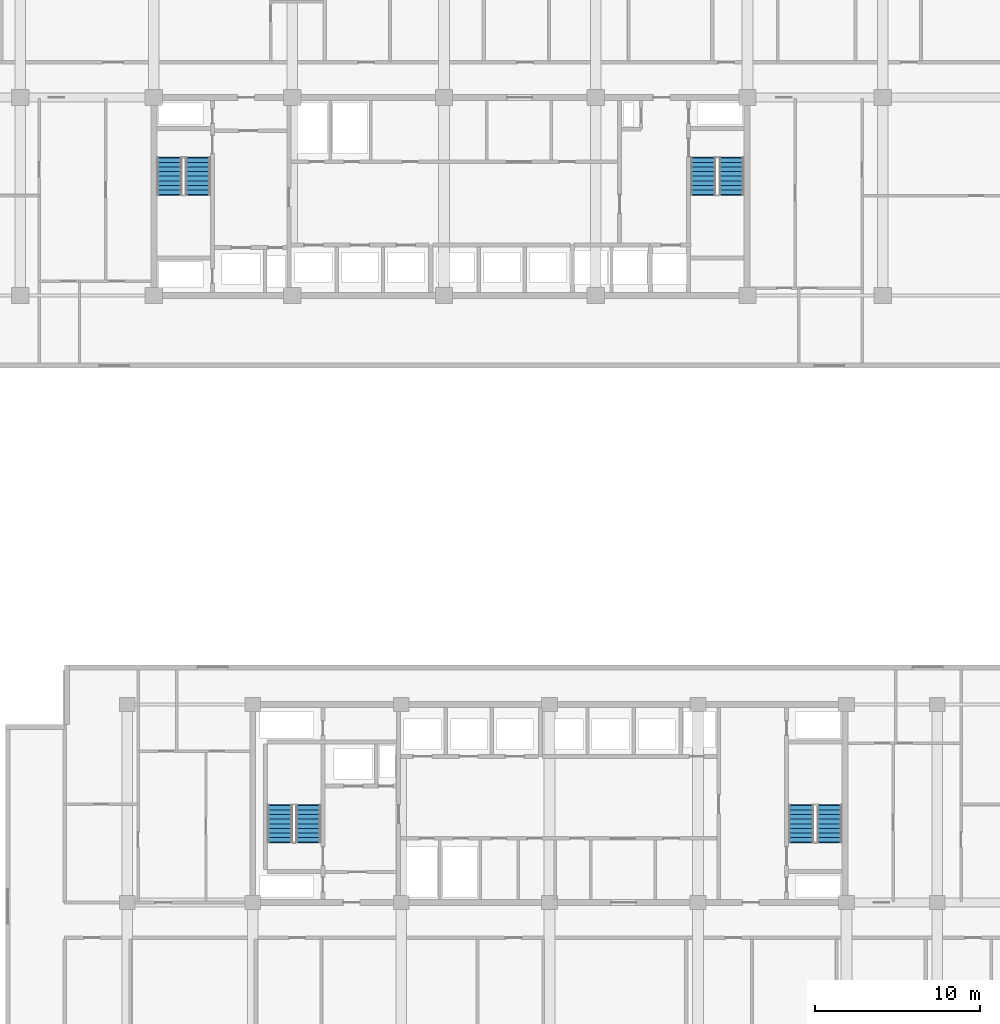
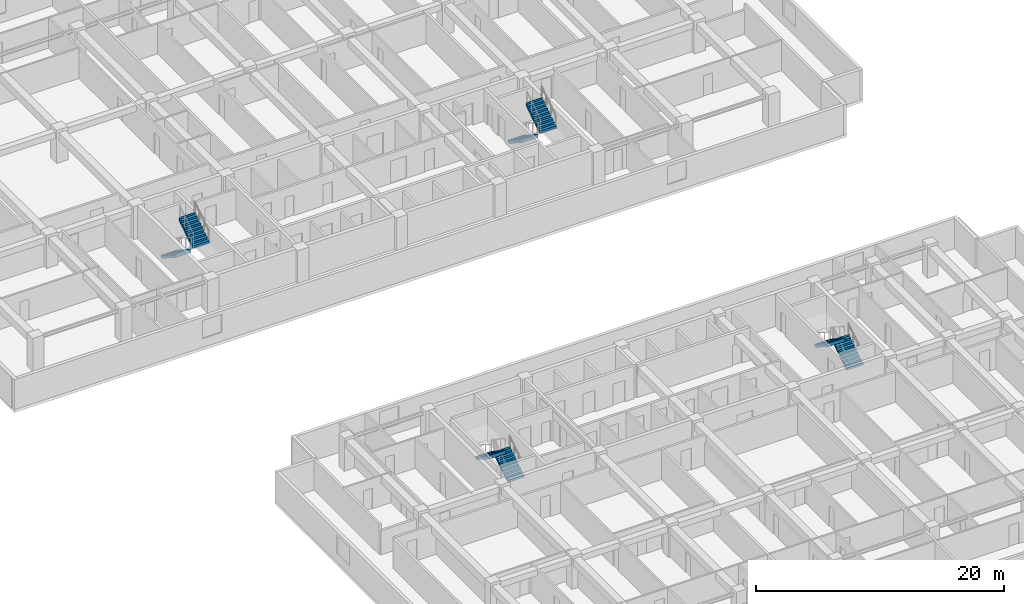
# One storey, part 19 of 24: 8 stair flights, 4 elements without a shape of their own.
"""IFC4 building model written with IfcOpenShell, lengths in metres."""

from ifc_helpers import new_model, si_unit, direction, frame, origin, place, context, subcontext, project, spatial, polyline, outline, extrude, material, type_object, element, aggregate, save


model = new_model("IFC4")

# Units and contexts
model_context = context("Model", 3, precision=1e-05, world=origin(), true_north=direction((0.0, 1.0)))
body_context = subcontext(model_context, "Body", "Model", "MODEL_VIEW")
ifc_project = project(units=[si_unit("LENGTHUNIT", "METRE"), si_unit("AREAUNIT", "SQUARE_METRE"), si_unit("VOLUMEUNIT", "CUBIC_METRE"), si_unit("PLANEANGLEUNIT", "RADIAN"), si_unit("MASSUNIT", "GRAM", prefix="KILO")], contexts=[model_context])

# Site, building, storey
site_placement = place(None, origin())
site = spatial("IfcSite", under=ifc_project, at=site_placement, CompositionType="ELEMENT")
building_placement = place(site_placement, origin())
building = spatial("IfcBuilding", under=site, at=building_placement, Name="Korimba Cascade Residences", CompositionType="ELEMENT")
storey_placement = place(building_placement, frame((0.0, 0.0, 66.25)))
storey = spatial("IfcBuildingStorey", under=building, at=storey_placement, Name="L18", CompositionType="ELEMENT", Elevation=66.25)

# Stair, stair flights
ifc_material = material(Name="Concrete C50/60", Category="concrete")
stair_type_1 = type_object("IfcStairType", Name="STR-W1-18R-1806", PredefinedType="HALF_TURN_STAIR", material=ifc_material)
stair_1_placement = place(storey_placement, origin())
stair_1 = element("IfcStair", 1, at=stair_1_placement, inside=storey, type_object=stair_type_1, Name="L18 Tower 1 West Fire Stair ST-W1", PredefinedType="HALF_TURN_STAIR")
stair_flight_type = type_object("IfcStairFlightType", Name="STF-DL-18R-1806-1520", PredefinedType="STRAIGHT", material=ifc_material)
stair_flight_1_placement = place(storey_placement, frame((77.06005859375, 63.550048828125, 0.0), z_axis=(0.0, 0.0, 1.0), x_axis=(0.0, -1.0, 0.0)))
stair_flight_1 = element("IfcStairFlight", 2, at=stair_flight_1_placement, type_object=stair_flight_type, Name="ST-W1 flight 1", NumberOfRisers=9, NumberOfTreads=8, PredefinedType="STRAIGHT", RiserHeight=0.180555556, TreadLength=0.28, context=body_context, shape_type="SweptSolid", body=[
    extrude(outline(polyline([(-0.0380859375, 0.0), (0.0, 0.1806640625), (0.280029296875, 0.1806640625), (0.280029296875, 0.361083984375), (0.56005859375, 0.361083984375), (0.56005859375, 0.541748046875), (0.840087890625, 0.541748046875), (0.840087890625, 0.72216796875), (1.1201171875, 0.72216796875), (1.1201171875, 0.90283203125), (1.39990234375, 0.90283203125), (1.39990234375, 1.083251953125), (1.679931640625, 1.083251953125), (1.679931640625, 1.263916015625), (1.9599609375, 1.263916015625), (1.9599609375, 1.4443359375), (2.239990234375, 1.4443359375), (2.239990234375, 1.625), (2.278076171875, 1.625), (2.278076171875, 1.26611328125), (0.276611328125, 0.0), (0.276611328125, -0.0380859375), (-0.0380859375, -0.0380859375), (-0.0380859375, 0.0)])), frame((0.0, 0.760009765625, 0.0), z_axis=(0.0, -1.0, 0.0), x_axis=(1.0, 0.0, 0.0)), (0.0, 0.0, 1.0), 1.52001953125),
])
stair_flight_2_placement = place(storey_placement, frame((78.780029296875, 61.31005859375, 1.625), z_axis=(0.0, 0.0, 1.0), x_axis=(0.0, 1.0, 0.0)))
stair_flight_2 = element("IfcStairFlight", 3, at=stair_flight_2_placement, type_object=stair_flight_type, Name="ST-W1 flight 2", NumberOfRisers=9, NumberOfTreads=8, PredefinedType="STRAIGHT", RiserHeight=0.180555556, TreadLength=0.28, context=body_context, shape_type="SweptSolid", body=[
    extrude(outline(polyline([(-0.0380859375, 0.0), (0.0, 0.1806640625), (0.280029296875, 0.1806640625), (0.280029296875, 0.361083984375), (0.56005859375, 0.361083984375), (0.56005859375, 0.541748046875), (0.840087890625, 0.541748046875), (0.840087890625, 0.72216796875), (1.1201171875, 0.72216796875), (1.1201171875, 0.90283203125), (1.39990234375, 0.90283203125), (1.39990234375, 1.083251953125), (1.679931640625, 1.083251953125), (1.679931640625, 1.263916015625), (1.9599609375, 1.263916015625), (1.9599609375, 1.4443359375), (2.239990234375, 1.4443359375), (2.239990234375, 1.625), (2.278076171875, 1.625), (2.278076171875, 1.26611328125), (0.276611328125, 0.0), (0.276611328125, -0.0380859375), (-0.0380859375, -0.0380859375), (-0.0380859375, 0.0)])), frame((0.0, 0.760009765625, 0.0), z_axis=(0.0, -1.0, 0.0), x_axis=(1.0, 0.0, 0.0)), (0.0, 0.0, 1.0), 1.52001953125),
])
aggregate(stair_1, [stair_flight_1, stair_flight_2])

stair_type_2 = type_object("IfcStairType", Name="STR-W2-18R-1806", PredefinedType="HALF_TURN_STAIR", material=ifc_material)
stair_2_placement = place(storey_placement, origin())
stair_2 = element("IfcStair", 4, at=stair_2_placement, inside=storey, type_object=stair_type_2, Name="L18 Tower 1 East Fire Stair ST-W2", PredefinedType="HALF_TURN_STAIR")
stair_flight_3_placement = place(storey_placement, frame((109.419921875, 63.550048828125, 0.0), z_axis=(0.0, 0.0, 1.0), x_axis=(0.0, -1.0, 0.0)))
stair_flight_3 = element("IfcStairFlight", 5, at=stair_flight_3_placement, type_object=stair_flight_type, Name="ST-W2 flight 1", NumberOfRisers=9, NumberOfTreads=8, PredefinedType="STRAIGHT", RiserHeight=0.180555556, TreadLength=0.28, context=body_context, shape_type="SweptSolid", body=[
    extrude(outline(polyline([(-0.0380859375, 0.0), (0.0, 0.1806640625), (0.280029296875, 0.1806640625), (0.280029296875, 0.361083984375), (0.56005859375, 0.361083984375), (0.56005859375, 0.541748046875), (0.840087890625, 0.541748046875), (0.840087890625, 0.72216796875), (1.1201171875, 0.72216796875), (1.1201171875, 0.90283203125), (1.39990234375, 0.90283203125), (1.39990234375, 1.083251953125), (1.679931640625, 1.083251953125), (1.679931640625, 1.263916015625), (1.9599609375, 1.263916015625), (1.9599609375, 1.4443359375), (2.239990234375, 1.4443359375), (2.239990234375, 1.625), (2.278076171875, 1.625), (2.278076171875, 1.26611328125), (0.276611328125, 0.0), (0.276611328125, -0.0380859375), (-0.0380859375, -0.0380859375), (-0.0380859375, 0.0)])), frame((0.0, 0.760009765625, 0.0), z_axis=(0.0, -1.0, 0.0), x_axis=(1.0, 0.0, 0.0)), (0.0, 0.0, 1.0), 1.52001953125),
])
stair_flight_4_placement = place(storey_placement, frame((111.139892578125, 61.31005859375, 1.625), z_axis=(0.0, 0.0, 1.0), x_axis=(0.0, 1.0, 0.0)))
stair_flight_4 = element("IfcStairFlight", 6, at=stair_flight_4_placement, type_object=stair_flight_type, Name="ST-W2 flight 2", NumberOfRisers=9, NumberOfTreads=8, PredefinedType="STRAIGHT", RiserHeight=0.180555556, TreadLength=0.28, context=body_context, shape_type="SweptSolid", body=[
    extrude(outline(polyline([(-0.0380859375, 0.0), (0.0, 0.1806640625), (0.280029296875, 0.1806640625), (0.280029296875, 0.361083984375), (0.56005859375, 0.361083984375), (0.56005859375, 0.541748046875), (0.840087890625, 0.541748046875), (0.840087890625, 0.72216796875), (1.1201171875, 0.72216796875), (1.1201171875, 0.90283203125), (1.39990234375, 0.90283203125), (1.39990234375, 1.083251953125), (1.679931640625, 1.083251953125), (1.679931640625, 1.263916015625), (1.9599609375, 1.263916015625), (1.9599609375, 1.4443359375), (2.239990234375, 1.4443359375), (2.239990234375, 1.625), (2.278076171875, 1.625), (2.278076171875, 1.26611328125), (0.276611328125, 0.0), (0.276611328125, -0.0380859375), (-0.0380859375, -0.0380859375), (-0.0380859375, 0.0)])), frame((0.0, 0.760009765625, 0.0), z_axis=(0.0, -1.0, 0.0), x_axis=(1.0, 0.0, 0.0)), (0.0, 0.0, 1.0), 1.52001953125),
])
aggregate(stair_2, [stair_flight_3, stair_flight_4])

stair_type_3 = type_object("IfcStairType", Name="STR-E1-18R-1806", PredefinedType="HALF_TURN_STAIR", material=ifc_material)
stair_3_placement = place(storey_placement, origin())
stair_3 = element("IfcStair", 7, at=stair_3_placement, inside=storey, type_object=stair_type_3, Name="L18 Tower 2 West Fire Stair ST-E1", PredefinedType="HALF_TURN_STAIR")
stair_flight_5_placement = place(storey_placement, frame((85.47998046875, 22.050048828125, 0.0), z_axis=(0.0, 0.0, 1.0), x_axis=(0.0, 1.0, 0.0)))
stair_flight_5 = element("IfcStairFlight", 8, at=stair_flight_5_placement, type_object=stair_flight_type, Name="ST-E1 flight 1", NumberOfRisers=9, NumberOfTreads=8, PredefinedType="STRAIGHT", RiserHeight=0.180555556, TreadLength=0.28, context=body_context, shape_type="SweptSolid", body=[
    extrude(outline(polyline([(-0.0380859375, 0.0), (0.0, 0.1806640625), (0.280029296875, 0.1806640625), (0.280029296875, 0.361083984375), (0.56005859375, 0.361083984375), (0.56005859375, 0.541748046875), (0.840087890625, 0.541748046875), (0.840087890625, 0.72216796875), (1.1201171875, 0.72216796875), (1.1201171875, 0.90283203125), (1.39990234375, 0.90283203125), (1.39990234375, 1.083251953125), (1.679931640625, 1.083251953125), (1.679931640625, 1.263916015625), (1.9599609375, 1.263916015625), (1.9599609375, 1.4443359375), (2.239990234375, 1.4443359375), (2.239990234375, 1.625), (2.278076171875, 1.625), (2.278076171875, 1.26611328125), (0.276611328125, 0.0), (0.276611328125, -0.0380859375), (-0.0380859375, -0.0380859375), (-0.0380859375, 0.0)])), frame((0.0, 0.760009765625, 0.0), z_axis=(0.0, -1.0, 0.0), x_axis=(1.0, 0.0, 0.0)), (0.0, 0.0, 1.0), 1.52001953125),
])
stair_flight_6_placement = place(storey_placement, frame((83.760009765625, 24.2900390625, 1.625), z_axis=(0.0, 0.0, 1.0), x_axis=(0.0, -1.0, 0.0)))
stair_flight_6 = element("IfcStairFlight", 9, at=stair_flight_6_placement, type_object=stair_flight_type, Name="ST-E1 flight 2", NumberOfRisers=9, NumberOfTreads=8, PredefinedType="STRAIGHT", RiserHeight=0.180555556, TreadLength=0.28, context=body_context, shape_type="SweptSolid", body=[
    extrude(outline(polyline([(-0.0380859375, 0.0), (0.0, 0.1806640625), (0.280029296875, 0.1806640625), (0.280029296875, 0.361083984375), (0.56005859375, 0.361083984375), (0.56005859375, 0.541748046875), (0.840087890625, 0.541748046875), (0.840087890625, 0.72216796875), (1.1201171875, 0.72216796875), (1.1201171875, 0.90283203125), (1.39990234375, 0.90283203125), (1.39990234375, 1.083251953125), (1.679931640625, 1.083251953125), (1.679931640625, 1.263916015625), (1.9599609375, 1.263916015625), (1.9599609375, 1.4443359375), (2.239990234375, 1.4443359375), (2.239990234375, 1.625), (2.278076171875, 1.625), (2.278076171875, 1.26611328125), (0.276611328125, 0.0), (0.276611328125, -0.0380859375), (-0.0380859375, -0.0380859375), (-0.0380859375, 0.0)])), frame((0.0, 0.760009765625, 0.0), z_axis=(0.0, -1.0, 0.0), x_axis=(1.0, 0.0, 0.0)), (0.0, 0.0, 1.0), 1.52001953125),
])
aggregate(stair_3, [stair_flight_5, stair_flight_6])

stair_type_4 = type_object("IfcStairType", Name="STR-E2-18R-1806", PredefinedType="HALF_TURN_STAIR", material=ifc_material)
stair_4_placement = place(storey_placement, origin())
stair_4 = element("IfcStair", 10, at=stair_4_placement, inside=storey, type_object=stair_type_4, Name="L18 Tower 2 East Fire Stair ST-E2", PredefinedType="HALF_TURN_STAIR")
stair_flight_7_placement = place(storey_placement, frame((117.080078125, 22.050048828125, 0.0), z_axis=(0.0, 0.0, 1.0), x_axis=(0.0, 1.0, 0.0)))
stair_flight_7 = element("IfcStairFlight", 11, at=stair_flight_7_placement, type_object=stair_flight_type, Name="ST-E2 flight 1", NumberOfRisers=9, NumberOfTreads=8, PredefinedType="STRAIGHT", RiserHeight=0.180555556, TreadLength=0.28, context=body_context, shape_type="SweptSolid", body=[
    extrude(outline(polyline([(-0.0380859375, 0.0), (0.0, 0.1806640625), (0.280029296875, 0.1806640625), (0.280029296875, 0.361083984375), (0.56005859375, 0.361083984375), (0.56005859375, 0.541748046875), (0.840087890625, 0.541748046875), (0.840087890625, 0.72216796875), (1.1201171875, 0.72216796875), (1.1201171875, 0.90283203125), (1.39990234375, 0.90283203125), (1.39990234375, 1.083251953125), (1.679931640625, 1.083251953125), (1.679931640625, 1.263916015625), (1.9599609375, 1.263916015625), (1.9599609375, 1.4443359375), (2.239990234375, 1.4443359375), (2.239990234375, 1.625), (2.278076171875, 1.625), (2.278076171875, 1.26611328125), (0.276611328125, 0.0), (0.276611328125, -0.0380859375), (-0.0380859375, -0.0380859375), (-0.0380859375, 0.0)])), frame((0.0, 0.760009765625, 0.0), z_axis=(0.0, -1.0, 0.0), x_axis=(1.0, 0.0, 0.0)), (0.0, 0.0, 1.0), 1.52001953125),
])
stair_flight_8_placement = place(storey_placement, frame((115.360107421875, 24.2900390625, 1.625), z_axis=(0.0, 0.0, 1.0), x_axis=(0.0, -1.0, 0.0)))
stair_flight_8 = element("IfcStairFlight", 12, at=stair_flight_8_placement, type_object=stair_flight_type, Name="ST-E2 flight 2", NumberOfRisers=9, NumberOfTreads=8, PredefinedType="STRAIGHT", RiserHeight=0.180555556, TreadLength=0.28, context=body_context, shape_type="SweptSolid", body=[
    extrude(outline(polyline([(-0.0380859375, 0.0), (0.0, 0.1806640625), (0.280029296875, 0.1806640625), (0.280029296875, 0.361083984375), (0.56005859375, 0.361083984375), (0.56005859375, 0.541748046875), (0.840087890625, 0.541748046875), (0.840087890625, 0.72216796875), (1.1201171875, 0.72216796875), (1.1201171875, 0.90283203125), (1.39990234375, 0.90283203125), (1.39990234375, 1.083251953125), (1.679931640625, 1.083251953125), (1.679931640625, 1.263916015625), (1.9599609375, 1.263916015625), (1.9599609375, 1.4443359375), (2.239990234375, 1.4443359375), (2.239990234375, 1.625), (2.278076171875, 1.625), (2.278076171875, 1.26611328125), (0.276611328125, 0.0), (0.276611328125, -0.0380859375), (-0.0380859375, -0.0380859375), (-0.0380859375, 0.0)])), frame((0.0, 0.760009765625, 0.0), z_axis=(0.0, -1.0, 0.0), x_axis=(1.0, 0.0, 0.0)), (0.0, 0.0, 1.0), 1.52001953125),
])
aggregate(stair_4, [stair_flight_7, stair_flight_8])

save(model, "model.ifc")
